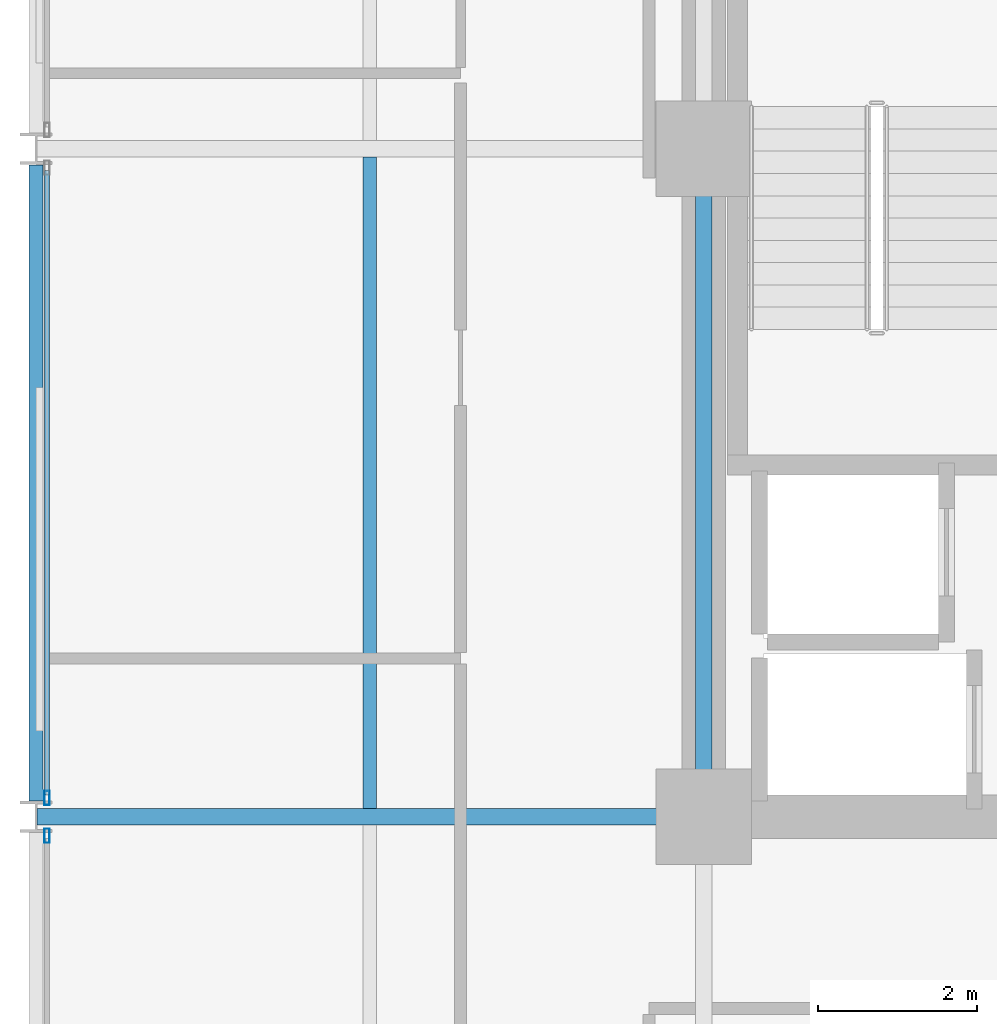
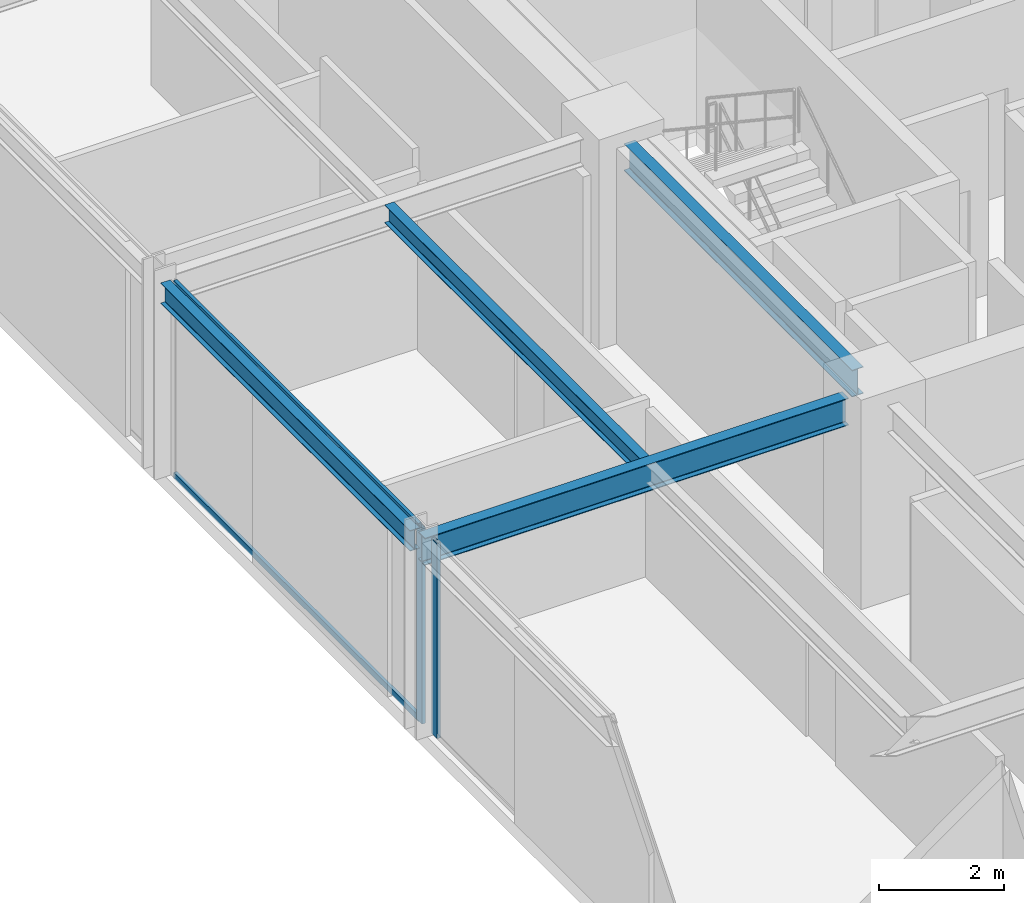
# One storey, part 10 of 29: 4 beams, 4 members, 2 elements without a shape of their own.
"""IFC4 building model written with IfcOpenShell, lengths in metres."""

from ifc_helpers import new_model, si_unit, direction, frame, origin, origin_2d, place, context, subcontext, project, spatial, hollow_rectangle, i_section, extrude, material, layer, layer_set, material_profile, profile_set, type_object, element, aggregate, save


model = new_model("IFC4")

# Units and contexts
model_context = context("Model", 3, precision=1e-05, world=origin(), true_north=direction((0.0, 1.0)))
body_context = subcontext(model_context, "Body", "Model", "MODEL_VIEW")
ifc_project = project(units=[si_unit("LENGTHUNIT", "METRE"), si_unit("AREAUNIT", "SQUARE_METRE"), si_unit("VOLUMEUNIT", "CUBIC_METRE"), si_unit("PLANEANGLEUNIT", "RADIAN"), si_unit("MASSUNIT", "GRAM", prefix="KILO")], contexts=[model_context])

# Site, building, storey
site_placement = place(None, origin())
site = spatial("IfcSite", under=ifc_project, at=site_placement, CompositionType="ELEMENT")
building_placement = place(site_placement, origin())
building = spatial("IfcBuilding", under=site, at=building_placement, Name="Nerrivon Quay Data Exchange", CompositionType="ELEMENT")
storey_placement = place(building_placement, frame((0.0, 0.0, 133.60009765625)))
storey = spatial("IfcBuildingStorey", under=building, at=storey_placement, Name="L31", CompositionType="ELEMENT", Elevation=133.60009765625)

# Beams
ifc_material_1 = material(Name="Steel Grade 350", Category="steel")
ifc_material_profile_1 = material_profile(ifc_material_1, i_section(OverallWidth=0.208984375, OverallDepth=0.532958984375, WebThickness=0.01025390625, FlangeThickness=0.015625, FilletRadius=0.013916015625, at=origin_2d()), Name="530UB92.4")
ifc_profile_set_1 = profile_set([ifc_material_profile_1], Name="Steel Grade 350")
beam_type_1 = type_object("IfcBeamType", Name="BM-G3-530UB92", PredefinedType="BEAM", material=ifc_profile_set_1)
beam_1_placement = place(storey_placement, frame((0.012451171875, 25.199951171875, 3.558349609375), z_axis=(1.0, 0.0, 0.0), x_axis=(0.0, 1.0, 0.0)))
element("IfcBeam", 1, at=beam_1_placement, inside=storey, type_object=beam_type_1, Name="L31 EW Girder Y=25.2 (0.0..8.4)", PredefinedType="BEAM", context=body_context, shape_type="SweptSolid", body=[
    extrude(i_section(OverallWidth=0.208984375, OverallDepth=0.532958984375, WebThickness=0.01025390625, FlangeThickness=0.015625, FilletRadius=0.013916015625, at=origin_2d()), origin(), (0.0, 0.0, 1.0), 7.84765625),
])
ifc_material_profile_2 = material_profile(ifc_material_1, i_section(OverallWidth=0.208984375, OverallDepth=0.528076171875, WebThickness=0.009521484375, FlangeThickness=0.01318359375, FilletRadius=0.013916015625, at=origin_2d()), Name="530UB82.0")
ifc_profile_set_2 = profile_set([ifc_material_profile_2], Name="Steel Grade 350")
beam_type_2 = type_object("IfcBeamType", Name="BM-G4-530UB82", PredefinedType="BEAM", material=ifc_profile_set_2)
beam_2_placement = place(storey_placement, frame((8.39990234375, 25.739990234375, 3.560791015625), z_axis=(0.0, 1.0, 0.0), x_axis=(-1.0, 0.0, 0.0)))
element("IfcBeam", 2, at=beam_2_placement, inside=storey, type_object=beam_type_2, Name="L31 NS Girder X=8.4 (25.2..33.6)", PredefinedType="BEAM", context=body_context, shape_type="SweptSolid", body=[
    extrude(i_section(OverallWidth=0.208984375, OverallDepth=0.528076171875, WebThickness=0.009521484375, FlangeThickness=0.01318359375, FilletRadius=0.013916015625, at=origin_2d()), origin(), (0.0, 0.0, 1.0), 7.320068359375),
])
ifc_material_profile_3 = material_profile(ifc_material_1, i_section(OverallWidth=0.1708984375, OverallDepth=0.35595703125, WebThickness=0.00732421875, FlangeThickness=0.011474609375, FilletRadius=0.011474609375, at=origin_2d()), Name="360UB50.7")
ifc_profile_set_3 = profile_set([ifc_material_profile_3], Name="Steel Grade 350")
beam_type_3 = type_object("IfcBeamType", Name="BM-J4-360UB51", PredefinedType="JOIST", material=ifc_profile_set_3)
beam_3_placement = place(storey_placement, frame((4.199951171875, 25.304443359375, 3.64697265625), z_axis=(0.0, 1.0, 0.0), x_axis=(-1.0, 0.0, 0.0)))
element("IfcBeam", 3, at=beam_3_placement, inside=storey, type_object=beam_type_3, Name="L31 Secondary Joist X=4.2 (25.2..33.6)", PredefinedType="JOIST", context=body_context, shape_type="SweptSolid", body=[
    extrude(i_section(OverallWidth=0.1708984375, OverallDepth=0.35595703125, WebThickness=0.00732421875, FlangeThickness=0.011474609375, FilletRadius=0.011474609375, at=origin_2d()), origin(), (0.0, 0.0, 1.0), 8.191162109375),
])
ifc_material_profile_4 = material_profile(ifc_material_1, i_section(OverallWidth=0.177978515625, OverallDepth=0.403076171875, WebThickness=0.007568359375, FlangeThickness=0.010986328125, FilletRadius=0.011474609375, at=origin_2d()), Name="410UB53.7")
ifc_profile_set_4 = profile_set([ifc_material_profile_4], Name="Steel Grade 350")
beam_type_4 = type_object("IfcBeamType", Name="BM-SP2-410UB54", PredefinedType="SPANDREL", material=ifc_profile_set_4)
beam_4_placement = place(storey_placement, frame((0.0, 25.39990234375, 3.623291015625), z_axis=(0.0, 1.0, 0.0), x_axis=(-1.0, 0.0, 0.0)))
element("IfcBeam", 4, at=beam_4_placement, inside=storey, type_object=beam_type_4, Name="L31 NS Girder X=0.0 (25.2..33.6)", PredefinedType="SPANDREL", context=body_context, shape_type="SweptSolid", body=[
    extrude(i_section(OverallWidth=0.177978515625, OverallDepth=0.403076171875, WebThickness=0.007568359375, FlangeThickness=0.010986328125, FilletRadius=0.011474609375, at=origin_2d()), origin(), (0.0, 0.0, 1.0), 8.0),
])

# Curtain wall, member
ifc_material_2 = material(Name="Anodised aluminium 6063-T6", Category="aluminium")
ifc_layer = layer(ifc_material_2, 0.2099609375)
ifc_layer_set = layer_set([ifc_layer], Name="Anodised aluminium 6063-T6")
curtain_wall_type = type_object("IfcCurtainWallType", Name="CW-SYS-02", PredefinedType="NOTDEFINED", material=ifc_layer_set)
curtain_wall_1_placement = place(storey_placement, origin())
curtain_wall_1 = element("IfcCurtainWall", 5, at=curtain_wall_1_placement, inside=storey, type_object=curtain_wall_type, Name="L31 Unitised Curtain Wall 13", PredefinedType="NOTDEFINED")
ifc_material_profile_5 = material_profile(ifc_material_2, hollow_rectangle(XDim=0.06494140625, YDim=0.179931640625, WallThickness=0.00341796875, at=origin_2d()), Name="ALU-MULL-180x65")
ifc_profile_set_5 = profile_set([ifc_material_profile_5], Name="Anodised aluminium 6063-T6")
member_type_1 = type_object("IfcMemberType", Name="CWM-180x65", PredefinedType="MULLION", material=ifc_profile_set_5)
member_1_placement = place(storey_placement, frame((0.139892578125, 24.96240234375, 0.0), z_axis=(0.0, 0.0, 1.0), x_axis=(-1.0, 0.0, 0.0)))
member_1 = element("IfcMember", 6, at=member_1_placement, type_object=member_type_1, Name="CW02 mullion 2", PredefinedType="MULLION", context=body_context, shape_type="SweptSolid", body=[
    extrude(hollow_rectangle(XDim=0.06494140625, YDim=0.179931640625, WallThickness=0.00341796875, at=origin_2d()), origin(), (0.0, 0.0, 1.0), 3.824951171875),
])
aggregate(curtain_wall_1, [member_1])

# Curtain wall, members
curtain_wall_2_placement = place(storey_placement, origin())
curtain_wall_2 = element("IfcCurtainWall", 7, at=curtain_wall_2_placement, inside=storey, type_object=curtain_wall_type, Name="L31 Unitised Curtain Wall 14", PredefinedType="NOTDEFINED")
member_2_placement = place(storey_placement, frame((0.139892578125, 25.4375, 0.0), z_axis=(0.0, 0.0, 1.0), x_axis=(-1.0, 0.0, 0.0)))
member_2 = element("IfcMember", 8, at=member_2_placement, type_object=member_type_1, Name="CW02 mullion 1", PredefinedType="MULLION", context=body_context, shape_type="SweptSolid", body=[
    extrude(hollow_rectangle(XDim=0.06494140625, YDim=0.179931640625, WallThickness=0.00341796875, at=origin_2d()), origin(), (0.0, 0.0, 1.0), 3.824951171875),
])
ifc_material_profile_6 = material_profile(ifc_material_2, hollow_rectangle(XDim=0.06005859375, YDim=0.1201171875, WallThickness=0.003173828125, at=origin_2d()), Name="ALU-TRAN-120x60")
ifc_profile_set_6 = profile_set([ifc_material_profile_6], Name="Anodised aluminium 6063-T6")
member_type_2 = type_object("IfcMemberType", Name="CWT-120x60", PredefinedType="USERDEFINED", material=ifc_profile_set_6)
member_3_placement = place(storey_placement, frame((0.139892578125, 25.47509765625, 0.032470703125), z_axis=(0.0, 1.0, 0.0), x_axis=(-1.0, 0.0, 0.0)))
member_3 = element("IfcMember", 9, at=member_3_placement, type_object=member_type_2, Name="CW02 transom 1.1", ObjectType="TRANSOM", PredefinedType="USERDEFINED", context=body_context, shape_type="SweptSolid", body=[
    extrude(hollow_rectangle(XDim=0.06005859375, YDim=0.1201171875, WallThickness=0.003173828125, at=origin_2d()), origin(), (0.0, 0.0, 1.0), 7.849853515625),
])
member_4_placement = place(storey_placement, frame((0.139892578125, 25.47509765625, 3.79248046875), z_axis=(0.0, 1.0, 0.0), x_axis=(-1.0, 0.0, 0.0)))
member_4 = element("IfcMember", 10, at=member_4_placement, type_object=member_type_2, Name="CW02 transom 1.2", ObjectType="TRANSOM", PredefinedType="USERDEFINED", context=body_context, shape_type="SweptSolid", body=[
    extrude(hollow_rectangle(XDim=0.06005859375, YDim=0.1201171875, WallThickness=0.003173828125, at=origin_2d()), origin(), (0.0, 0.0, 1.0), 7.849853515625),
])
aggregate(curtain_wall_2, [member_2, member_3, member_4])

save(model, "model.ifc")
